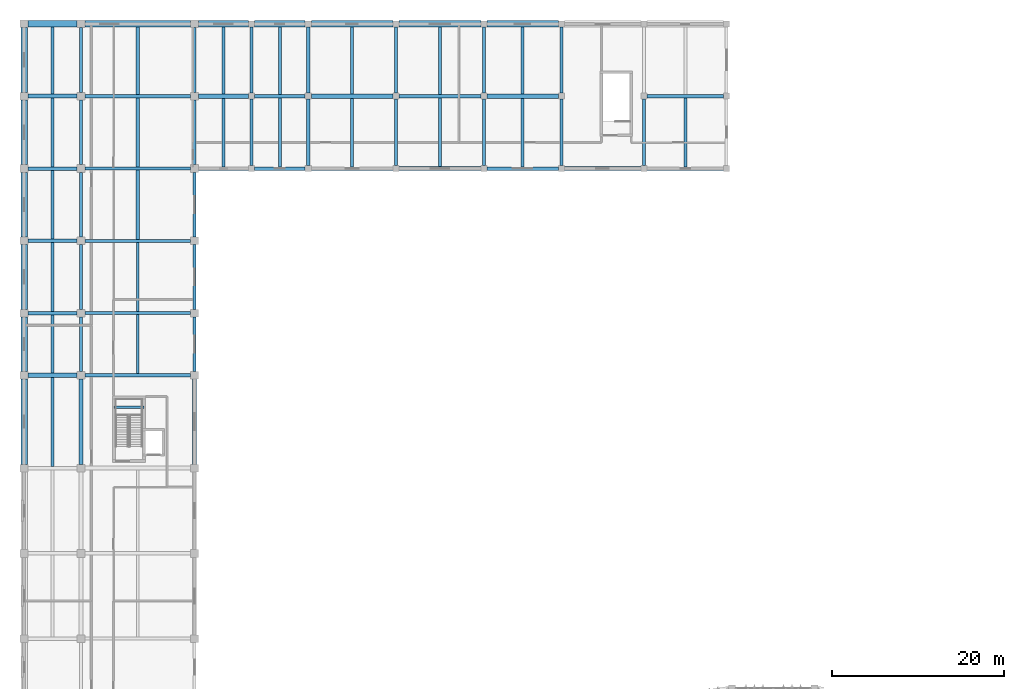
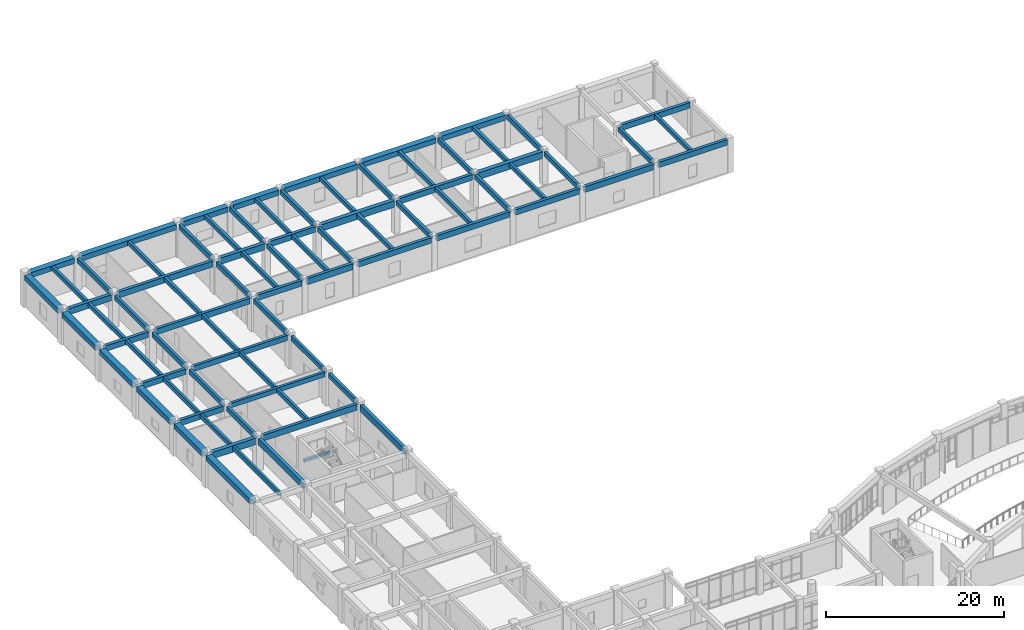
# One storey, part 22 of 68: 82 beams.
"""IFC4 building model written with IfcOpenShell, lengths in metres."""

from ifc_helpers import new_model, si_unit, direction, frame, origin, origin_2d, place, context, subcontext, project, spatial, rectangle, extrude, material, material_profile, profile_set, type_object, element, save


model = new_model("IFC4")

# Units and contexts
model_context = context("Model", 3, precision=1e-05, world=origin(), true_north=direction((0.0, 1.0)))
body_context = subcontext(model_context, "Body", "Model", "MODEL_VIEW")
ifc_project = project(units=[si_unit("LENGTHUNIT", "METRE"), si_unit("AREAUNIT", "SQUARE_METRE"), si_unit("VOLUMEUNIT", "CUBIC_METRE"), si_unit("PLANEANGLEUNIT", "RADIAN"), si_unit("MASSUNIT", "GRAM", prefix="KILO")], contexts=[model_context])

# Site, building, storey
site_placement = place(None, origin())
site = spatial("IfcSite", under=ifc_project, at=site_placement, CompositionType="ELEMENT")
building_placement = place(site_placement, origin())
building = spatial("IfcBuilding", under=site, at=building_placement, Name="Miralva Faculty of Natural Sciences", CompositionType="ELEMENT")
storey_placement = place(building_placement, frame((0.0, 0.0, 5.39990234375)))
storey = spatial("IfcBuildingStorey", under=building, at=storey_placement, Name="L01", CompositionType="ELEMENT", Elevation=5.39990234375)

# Beams
ifc_material = material(Name="Concrete C40/50", Category="concrete")
ifc_material_profile_1 = material_profile(ifc_material, rectangle(XDim=0.449951171875, YDim=0.85009765625, at=origin_2d()), Name="RC 450x850")
ifc_profile_set_1 = profile_set([ifc_material_profile_1], Name="Concrete C40/50")
beam_type_1 = type_object("IfcBeamType", Name="BM-B01", PredefinedType="BEAM", material=ifc_profile_set_1)
for number, where, z_axis, x_axis, name in (
    (1, (9.60009765625, 65.85009765625, 4.05517578125), (0.0, 1.0, 0.0), (-1.0, 0.0, 0.0), "Girder NS L01-116"),
    (2, (22.800048828125, 65.85009765625, 4.05517578125), (0.0, 1.0, 0.0), (-1.0, 0.0, 0.0), "Girder NS L01-132"),
):
    element("IfcBeam", number, at=place(storey_placement, frame(where, z_axis=z_axis, x_axis=x_axis)), inside=storey, type_object=beam_type_1, Name=name, PredefinedType="BEAM", context=body_context, shape_type="SweptSolid", body=[
        extrude(rectangle(XDim=0.449951171875, YDim=0.85009765625, at=origin_2d()), origin(), (0.0, 0.0, 1.0), 9.89990234375),
    ])
ifc_material_profile_2 = material_profile(ifc_material, rectangle(XDim=0.39990234375, YDim=0.800048828125, at=origin_2d()), Name="RC 400x800")
ifc_profile_set_2 = profile_set([ifc_material_profile_2], Name="Concrete C40/50")
beam_type_2 = type_object("IfcBeamType", Name="BM-B02", PredefinedType="BEAM", material=ifc_profile_set_2)
for number, where, z_axis, x_axis, name in (
    (3, (10.050048828125, 76.199951171875, 4.080078125), (1.0, 0.0, 0.0), (0.0, 1.0, 0.0), "Girder EW L01-62"),
    (4, (10.050048828125, 108.60009765625, 4.080078125), (1.0, 0.0, 0.0), (0.0, 1.0, 0.0), "Girder EW L01-80"),
):
    element("IfcBeam", number, at=place(storey_placement, frame(where, z_axis=z_axis, x_axis=x_axis)), inside=storey, type_object=beam_type_2, Name=name, PredefinedType="BEAM", context=body_context, shape_type="SweptSolid", body=[
        extrude(rectangle(XDim=0.39990234375, YDim=0.800048828125, at=origin_2d()), origin(), (0.0, 0.0, 1.0), 12.300048828125),
    ])
ifc_material_profile_3 = material_profile(ifc_material, rectangle(XDim=0.39990234375, YDim=0.75, at=origin_2d()), Name="RC 400x750")
ifc_profile_set_3 = profile_set([ifc_material_profile_3], Name="Concrete C40/50")
beam_type_3 = type_object("IfcBeamType", Name="BM-B03", PredefinedType="BEAM", material=ifc_profile_set_3)
for number, where, z_axis, x_axis, name in (
    (5, (3.449951171875, 83.39990234375, 4.10498046875), (1.0, 0.0, 0.0), (0.0, 1.0, 0.0), "Girder EW L01-66"),
    (6, (3.449951171875, 91.800048828125, 4.10498046875), (1.0, 0.0, 0.0), (0.0, 1.0, 0.0), "Girder EW L01-68"),
    (7, (3.449951171875, 100.199951171875, 4.10498046875), (1.0, 0.0, 0.0), (0.0, 1.0, 0.0), "Girder EW L01-70"),
):
    element("IfcBeam", number, at=place(storey_placement, frame(where, z_axis=z_axis, x_axis=x_axis)), inside=storey, type_object=beam_type_3, Name=name, PredefinedType="BEAM", context=body_context, shape_type="SweptSolid", body=[
        extrude(rectangle(XDim=0.39990234375, YDim=0.75, at=origin_2d()), origin(), (0.0, 0.0, 1.0), 5.699951171875),
    ])
beam_1_placement = place(storey_placement, frame((23.25, 100.199951171875, 4.175048828125), z_axis=(1.0, 0.0, 0.0), x_axis=(0.0, 1.0, 0.0)))
element("IfcBeam", 8, at=beam_1_placement, inside=storey, type_object=beam_type_3, Name="Girder EW L01-72", PredefinedType="BEAM", context=body_context, shape_type="SweptSolid", body=[
    extrude(rectangle(XDim=0.39990234375, YDim=0.75, at=origin_2d()), origin(), (0.0, 0.0, 1.0), 5.800048828125),
])
beam_2_placement = place(storey_placement, frame((36.35009765625, 100.199951171875, 4.175048828125), z_axis=(1.0, 0.0, 0.0), x_axis=(0.0, 1.0, 0.0)))
element("IfcBeam", 9, at=beam_2_placement, inside=storey, type_object=beam_type_3, Name="Girder EW L01-74", PredefinedType="BEAM", context=body_context, shape_type="SweptSolid", body=[
    extrude(rectangle(XDim=0.39990234375, YDim=0.75, at=origin_2d()), origin(), (0.0, 0.0, 1.0), 9.5),
])
beam_3_placement = place(storey_placement, frame((56.75, 100.199951171875, 4.175048828125), z_axis=(1.0, 0.0, 0.0), x_axis=(0.0, 1.0, 0.0)))
element("IfcBeam", 10, at=beam_3_placement, inside=storey, type_object=beam_type_3, Name="Girder EW L01-76", PredefinedType="BEAM", context=body_context, shape_type="SweptSolid", body=[
    extrude(rectangle(XDim=0.39990234375, YDim=0.75, at=origin_2d()), origin(), (0.0, 0.0, 1.0), 8.300048828125),
])
beam_4_placement = place(storey_placement, frame((75.35009765625, 100.199951171875, 4.175048828125), z_axis=(1.0, 0.0, 0.0), x_axis=(0.0, 1.0, 0.0)))
element("IfcBeam", 11, at=beam_4_placement, inside=storey, type_object=beam_type_3, Name="Girder EW L01-78", PredefinedType="BEAM", context=body_context, shape_type="SweptSolid", body=[
    extrude(rectangle(XDim=0.39990234375, YDim=0.75, at=origin_2d()), origin(), (0.0, 0.0, 1.0), 8.89990234375),
])
beam_5_placement = place(storey_placement, frame((29.75, 108.60009765625, 4.175048828125), z_axis=(1.0, 0.0, 0.0), x_axis=(0.0, 1.0, 0.0)))
element("IfcBeam", 12, at=beam_5_placement, inside=storey, type_object=beam_type_3, Name="Girder EW L01-82", PredefinedType="BEAM", context=body_context, shape_type="SweptSolid", body=[
    extrude(rectangle(XDim=0.39990234375, YDim=0.75, at=origin_2d()), origin(), (0.0, 0.0, 1.0), 5.89990234375),
])
beam_6_placement = place(storey_placement, frame((46.550048828125, 108.60009765625, 4.175048828125), z_axis=(1.0, 0.0, 0.0), x_axis=(0.0, 1.0, 0.0)))
element("IfcBeam", 13, at=beam_6_placement, inside=storey, type_object=beam_type_3, Name="Girder EW L01-84", PredefinedType="BEAM", context=body_context, shape_type="SweptSolid", body=[
    extrude(rectangle(XDim=0.39990234375, YDim=0.75, at=origin_2d()), origin(), (0.0, 0.0, 1.0), 9.5),
])
beam_7_placement = place(storey_placement, frame((75.35009765625, 108.60009765625, 4.175048828125), z_axis=(1.0, 0.0, 0.0), x_axis=(0.0, 1.0, 0.0)))
element("IfcBeam", 14, at=beam_7_placement, inside=storey, type_object=beam_type_3, Name="Girder EW L01-86", PredefinedType="BEAM", context=body_context, shape_type="SweptSolid", body=[
    extrude(rectangle(XDim=0.39990234375, YDim=0.75, at=origin_2d()), origin(), (0.0, 0.0, 1.0), 8.89990234375),
])
ifc_material_profile_4 = material_profile(ifc_material, rectangle(XDim=0.35009765625, YDim=0.64990234375, at=origin_2d()), Name="RC 350x650")
ifc_profile_set_4 = profile_set([ifc_material_profile_4], Name="Concrete C40/50")
beam_type_4 = type_object("IfcBeamType", Name="BM-B05", PredefinedType="BEAM", material=ifc_profile_set_4)
beam_8_placement = place(storey_placement, frame((9.60009765625, 76.64990234375, 4.155029296875), z_axis=(0.0, 1.0, 0.0), x_axis=(-1.0, 0.0, 0.0)))
element("IfcBeam", 15, at=beam_8_placement, inside=storey, type_object=beam_type_4, Name="Girder NS L01-117", PredefinedType="BEAM", context=body_context, shape_type="SweptSolid", body=[
    extrude(rectangle(XDim=0.35009765625, YDim=0.64990234375, at=origin_2d()), origin(), (0.0, 0.0, 1.0), 6.300048828125),
])
for number, where, z_axis, x_axis, name in (
    (16, (9.60009765625, 83.85009765625, 4.155029296875), (0.0, 1.0, 0.0), (-1.0, 0.0, 0.0), "Girder NS L01-118"),
    (17, (9.60009765625, 92.25, 4.155029296875), (0.0, 1.0, 0.0), (-1.0, 0.0, 0.0), "Girder NS L01-119"),
    (18, (9.60009765625, 100.64990234375, 4.155029296875), (0.0, 1.0, 0.0), (-1.0, 0.0, 0.0), "Girder NS L01-120"),
    (19, (9.60009765625, 109.050048828125, 4.155029296875), (0.0, 1.0, 0.0), (-1.0, 0.0, 0.0), "Girder NS L01-121"),
):
    element("IfcBeam", number, at=place(storey_placement, frame(where, z_axis=z_axis, x_axis=x_axis)), inside=storey, type_object=beam_type_4, Name=name, PredefinedType="BEAM", context=body_context, shape_type="SweptSolid", body=[
        extrude(rectangle(XDim=0.35009765625, YDim=0.64990234375, at=origin_2d()), origin(), (0.0, 0.0, 1.0), 7.5),
    ])
beam_9_placement = place(storey_placement, frame((22.800048828125, 76.64990234375, 4.155029296875), z_axis=(0.0, 1.0, 0.0), x_axis=(-1.0, 0.0, 0.0)))
element("IfcBeam", 20, at=beam_9_placement, inside=storey, type_object=beam_type_4, Name="Girder NS L01-133", PredefinedType="BEAM", context=body_context, shape_type="SweptSolid", body=[
    extrude(rectangle(XDim=0.35009765625, YDim=0.64990234375, at=origin_2d()), origin(), (0.0, 0.0, 1.0), 6.300048828125),
])
for number, where, z_axis, x_axis, name in (
    (21, (22.800048828125, 83.85009765625, 4.155029296875), (0.0, 1.0, 0.0), (-1.0, 0.0, 0.0), "Girder NS L01-134"),
    (22, (22.800048828125, 92.25, 4.155029296875), (0.0, 1.0, 0.0), (-1.0, 0.0, 0.0), "Girder NS L01-135"),
    (23, (22.800048828125, 100.64990234375, 4.155029296875), (0.0, 1.0, 0.0), (-1.0, 0.0, 0.0), "Girder NS L01-136"),
    (24, (22.800048828125, 109.050048828125, 4.155029296875), (0.0, 1.0, 0.0), (-1.0, 0.0, 0.0), "Girder NS L01-137"),
):
    element("IfcBeam", number, at=place(storey_placement, frame(where, z_axis=z_axis, x_axis=x_axis)), inside=storey, type_object=beam_type_4, Name=name, PredefinedType="BEAM", context=body_context, shape_type="SweptSolid", body=[
        extrude(rectangle(XDim=0.35009765625, YDim=0.64990234375, at=origin_2d()), origin(), (0.0, 0.0, 1.0), 7.5),
    ])
for number, where, z_axis, x_axis, name in (
    (25, (29.39990234375, 100.550048828125, 4.22509765625), (0.0, 1.0, 0.0), (-1.0, 0.0, 0.0), "Girder NS L01-141"),
    (26, (29.39990234375, 108.949951171875, 4.22509765625), (0.0, 1.0, 0.0), (-1.0, 0.0, 0.0), "Girder NS L01-142"),
    (27, (36.0, 100.550048828125, 4.22509765625), (0.0, 1.0, 0.0), (-1.0, 0.0, 0.0), "Girder NS L01-146"),
    (28, (36.0, 108.949951171875, 4.22509765625), (0.0, 1.0, 0.0), (-1.0, 0.0, 0.0), "Girder NS L01-147"),
    (29, (46.199951171875, 100.550048828125, 4.22509765625), (0.0, 1.0, 0.0), (-1.0, 0.0, 0.0), "Girder NS L01-149"),
    (30, (46.199951171875, 108.949951171875, 4.22509765625), (0.0, 1.0, 0.0), (-1.0, 0.0, 0.0), "Girder NS L01-150"),
    (31, (56.39990234375, 100.550048828125, 4.22509765625), (0.0, 1.0, 0.0), (-1.0, 0.0, 0.0), "Girder NS L01-152"),
    (32, (56.39990234375, 108.949951171875, 4.22509765625), (0.0, 1.0, 0.0), (-1.0, 0.0, 0.0), "Girder NS L01-153"),
    (33, (65.39990234375, 100.550048828125, 4.22509765625), (0.0, 1.0, 0.0), (-1.0, 0.0, 0.0), "Girder NS L01-154"),
    (34, (65.39990234375, 108.949951171875, 4.22509765625), (0.0, 1.0, 0.0), (-1.0, 0.0, 0.0), "Girder NS L01-155"),
    (35, (75.0, 100.550048828125, 4.22509765625), (0.0, 1.0, 0.0), (-1.0, 0.0, 0.0), "Girder NS L01-156"),
):
    element("IfcBeam", number, at=place(storey_placement, frame(where, z_axis=z_axis, x_axis=x_axis)), inside=storey, type_object=beam_type_4, Name=name, PredefinedType="BEAM", context=body_context, shape_type="SweptSolid", body=[
        extrude(rectangle(XDim=0.35009765625, YDim=0.64990234375, at=origin_2d()), origin(), (0.0, 0.0, 1.0), 7.699951171875),
    ])
ifc_material_profile_5 = material_profile(ifc_material, rectangle(XDim=0.340087890625, YDim=0.6201171875, at=origin_2d()), Name="RC 340x620")
ifc_profile_set_5 = profile_set([ifc_material_profile_5], Name="Concrete C40/50")
beam_type_5 = type_object("IfcBeamType", Name="BM-BG03", PredefinedType="BEAM", material=ifc_profile_set_5)
beam_10_placement = place(storey_placement, frame((10.050048828125, 83.39990234375, 4.170166015625), z_axis=(1.0, 0.0, 0.0), x_axis=(0.0, 1.0, 0.0)))
element("IfcBeam", 36, at=beam_10_placement, inside=storey, type_object=beam_type_5, Name="Girder EW L01-67", PredefinedType="BEAM", context=body_context, shape_type="SweptSolid", body=[
    extrude(rectangle(XDim=0.340087890625, YDim=0.6201171875, at=origin_2d()), origin(), (0.0, 0.0, 1.0), 12.300048828125),
])
ifc_material_profile_6 = material_profile(ifc_material, rectangle(XDim=0.360107421875, YDim=0.719970703125, at=origin_2d()), Name="RC 360x720")
ifc_profile_set_6 = profile_set([ifc_material_profile_6], Name="Concrete C40/50")
beam_type_6 = type_object("IfcBeamType", Name="BM-BG05", PredefinedType="BEAM", material=ifc_profile_set_6)
beam_11_placement = place(storey_placement, frame((10.050048828125, 91.800048828125, 4.1201171875), z_axis=(1.0, 0.0, 0.0), x_axis=(0.0, 1.0, 0.0)))
element("IfcBeam", 37, at=beam_11_placement, inside=storey, type_object=beam_type_6, Name="Girder EW L01-69", PredefinedType="BEAM", context=body_context, shape_type="SweptSolid", body=[
    extrude(rectangle(XDim=0.360107421875, YDim=0.719970703125, at=origin_2d()), origin(), (0.0, 0.0, 1.0), 12.300048828125),
])
ifc_material_profile_7 = material_profile(ifc_material, rectangle(XDim=0.3798828125, YDim=0.780029296875, at=origin_2d()), Name="RC 380x780")
ifc_profile_set_7 = profile_set([ifc_material_profile_7], Name="Concrete C40/50")
beam_type_7 = type_object("IfcBeamType", Name="BM-BG07", PredefinedType="BEAM", material=ifc_profile_set_7)
beam_12_placement = place(storey_placement, frame((10.050048828125, 100.199951171875, 4.090087890625), z_axis=(1.0, 0.0, 0.0), x_axis=(0.0, 1.0, 0.0)))
element("IfcBeam", 38, at=beam_12_placement, inside=storey, type_object=beam_type_7, Name="Girder EW L01-71", PredefinedType="BEAM", context=body_context, shape_type="SweptSolid", body=[
    extrude(rectangle(XDim=0.3798828125, YDim=0.780029296875, at=origin_2d()), origin(), (0.0, 0.0, 1.0), 12.300048828125),
])
ifc_material_profile_8 = material_profile(ifc_material, rectangle(XDim=0.39990234375, YDim=0.840087890625, at=origin_2d()), Name="RC 400x840")
ifc_profile_set_8 = profile_set([ifc_material_profile_8], Name="Concrete C40/50")
beam_type_8 = type_object("IfcBeamType", Name="BM-BG09", PredefinedType="BEAM", material=ifc_profile_set_8)
beam_13_placement = place(storey_placement, frame((29.75, 100.199951171875, 4.130126953125), z_axis=(1.0, 0.0, 0.0), x_axis=(0.0, 1.0, 0.0)))
element("IfcBeam", 39, at=beam_13_placement, inside=storey, type_object=beam_type_8, Name="Girder EW L01-73", PredefinedType="BEAM", context=body_context, shape_type="SweptSolid", body=[
    extrude(rectangle(XDim=0.39990234375, YDim=0.840087890625, at=origin_2d()), origin(), (0.0, 0.0, 1.0), 5.89990234375),
])
ifc_material_profile_9 = material_profile(ifc_material, rectangle(XDim=0.419921875, YDim=0.739990234375, at=origin_2d()), Name="RC 420x740")
ifc_profile_set_9 = profile_set([ifc_material_profile_9], Name="Concrete C40/50")
beam_type_9 = type_object("IfcBeamType", Name="BM-BG11", PredefinedType="BEAM", material=ifc_profile_set_9)
beam_14_placement = place(storey_placement, frame((46.550048828125, 100.199951171875, 4.18017578125), z_axis=(1.0, 0.0, 0.0), x_axis=(0.0, 1.0, 0.0)))
element("IfcBeam", 40, at=beam_14_placement, inside=storey, type_object=beam_type_9, Name="Girder EW L01-75", PredefinedType="BEAM", context=body_context, shape_type="SweptSolid", body=[
    extrude(rectangle(XDim=0.419921875, YDim=0.739990234375, at=origin_2d()), origin(), (0.0, 0.0, 1.0), 9.5),
])
ifc_material_profile_10 = material_profile(ifc_material, rectangle(XDim=0.43994140625, YDim=0.780029296875, at=origin_2d()), Name="RC 440x780")
ifc_profile_set_10 = profile_set([ifc_material_profile_10], Name="Concrete C40/50")
beam_type_10 = type_object("IfcBeamType", Name="BM-BG13", PredefinedType="BEAM", material=ifc_profile_set_10)
beam_15_placement = place(storey_placement, frame((65.75, 100.199951171875, 4.16015625), z_axis=(1.0, 0.0, 0.0), x_axis=(0.0, 1.0, 0.0)))
element("IfcBeam", 41, at=beam_15_placement, inside=storey, type_object=beam_type_10, Name="Girder EW L01-77", PredefinedType="BEAM", context=body_context, shape_type="SweptSolid", body=[
    extrude(rectangle(XDim=0.43994140625, YDim=0.780029296875, at=origin_2d()), origin(), (0.0, 0.0, 1.0), 8.89990234375),
])
ifc_material_profile_11 = material_profile(ifc_material, rectangle(XDim=0.4599609375, YDim=0.820068359375, at=origin_2d()), Name="RC 460x820")
ifc_profile_set_11 = profile_set([ifc_material_profile_11], Name="Concrete C40/50")
beam_type_11 = type_object("IfcBeamType", Name="BM-BG15", PredefinedType="BEAM", material=ifc_profile_set_11)
beam_16_placement = place(storey_placement, frame((3.449951171875, 108.60009765625, 4.070068359375), z_axis=(1.0, 0.0, 0.0), x_axis=(0.0, 1.0, 0.0)))
element("IfcBeam", 42, at=beam_16_placement, inside=storey, type_object=beam_type_11, Name="Girder EW L01-79", PredefinedType="BEAM", context=body_context, shape_type="SweptSolid", body=[
    extrude(rectangle(XDim=0.4599609375, YDim=0.820068359375, at=origin_2d()), origin(), (0.0, 0.0, 1.0), 5.699951171875),
])
ifc_material_profile_12 = material_profile(ifc_material, rectangle(XDim=0.47998046875, YDim=0.860107421875, at=origin_2d()), Name="RC 480x860")
ifc_profile_set_12 = profile_set([ifc_material_profile_12], Name="Concrete C40/50")
beam_type_12 = type_object("IfcBeamType", Name="BM-BG17", PredefinedType="BEAM", material=ifc_profile_set_12)
beam_17_placement = place(storey_placement, frame((23.25, 108.60009765625, 4.1201171875), z_axis=(1.0, 0.0, 0.0), x_axis=(0.0, 1.0, 0.0)))
element("IfcBeam", 43, at=beam_17_placement, inside=storey, type_object=beam_type_12, Name="Girder EW L01-81", PredefinedType="BEAM", context=body_context, shape_type="SweptSolid", body=[
    extrude(rectangle(XDim=0.47998046875, YDim=0.860107421875, at=origin_2d()), origin(), (0.0, 0.0, 1.0), 5.800048828125),
])
ifc_material_profile_13 = material_profile(ifc_material, rectangle(XDim=0.52001953125, YDim=0.8798828125, at=origin_2d()), Name="RC 520x880")
ifc_profile_set_13 = profile_set([ifc_material_profile_13], Name="Concrete C40/50")
beam_type_13 = type_object("IfcBeamType", Name="BM-BG19", PredefinedType="BEAM", material=ifc_profile_set_13)
beam_18_placement = place(storey_placement, frame((3.449951171875, 76.199951171875, 4.0400390625), z_axis=(1.0, 0.0, 0.0), x_axis=(0.0, 1.0, 0.0)))
element("IfcBeam", 44, at=beam_18_placement, inside=storey, type_object=beam_type_13, Name="Girder EW L01-61", PredefinedType="BEAM", context=body_context, shape_type="SweptSolid", body=[
    extrude(rectangle(XDim=0.52001953125, YDim=0.8798828125, at=origin_2d()), origin(), (0.0, 0.0, 1.0), 5.699951171875),
])
beam_19_placement = place(storey_placement, frame((36.35009765625, 108.60009765625, 4.110107421875), z_axis=(1.0, 0.0, 0.0), x_axis=(0.0, 1.0, 0.0)))
element("IfcBeam", 45, at=beam_19_placement, inside=storey, type_object=beam_type_13, Name="Girder EW L01-83", PredefinedType="BEAM", context=body_context, shape_type="SweptSolid", body=[
    extrude(rectangle(XDim=0.52001953125, YDim=0.8798828125, at=origin_2d()), origin(), (0.0, 0.0, 1.0), 9.5),
])
ifc_material_profile_14 = material_profile(ifc_material, rectangle(XDim=0.5400390625, YDim=0.919921875, at=origin_2d()), Name="RC 540x920")
ifc_profile_set_14 = profile_set([ifc_material_profile_14], Name="Concrete C40/50")
beam_type_14 = type_object("IfcBeamType", Name="BM-BG21", PredefinedType="BEAM", material=ifc_profile_set_14)
beam_20_placement = place(storey_placement, frame((56.75, 108.60009765625, 4.090087890625), z_axis=(1.0, 0.0, 0.0), x_axis=(0.0, 1.0, 0.0)))
element("IfcBeam", 46, at=beam_20_placement, inside=storey, type_object=beam_type_14, Name="Girder EW L01-85", PredefinedType="BEAM", context=body_context, shape_type="SweptSolid", body=[
    extrude(rectangle(XDim=0.5400390625, YDim=0.919921875, at=origin_2d()), origin(), (0.0, 0.0, 1.0), 8.300048828125),
])
ifc_material_profile_15 = material_profile(ifc_material, rectangle(XDim=0.300048828125, YDim=0.60009765625, at=origin_2d()), Name="RC 300x600")
ifc_profile_set_15 = profile_set([ifc_material_profile_15], Name="Concrete C40/50")
beam_type_15 = type_object("IfcBeamType", Name="BM-J01", PredefinedType="JOIST", material=ifc_profile_set_15)
beam_21_placement = place(storey_placement, frame((6.300048828125, 65.60009765625, 4.18017578125), z_axis=(0.0, 1.0, 0.0), x_axis=(-1.0, 0.0, 0.0)))
element("IfcBeam", 47, at=beam_21_placement, inside=storey, type_object=beam_type_15, Name="Floor joist L01-22", PredefinedType="JOIST", context=body_context, shape_type="SweptSolid", body=[
    extrude(rectangle(XDim=0.300048828125, YDim=0.60009765625, at=origin_2d()), origin(), (0.0, 0.0, 1.0), 10.33984375),
])
beam_22_placement = place(storey_placement, frame((6.300048828125, 76.4599609375, 4.18017578125), z_axis=(0.0, 1.0, 0.0), x_axis=(-1.0, 0.0, 0.0)))
element("IfcBeam", 48, at=beam_22_placement, inside=storey, type_object=beam_type_15, Name="Floor joist L01-26", PredefinedType="JOIST", context=body_context, shape_type="SweptSolid", body=[
    extrude(rectangle(XDim=0.300048828125, YDim=0.60009765625, at=origin_2d()), origin(), (0.0, 0.0, 1.0), 6.739990234375),
])
beam_23_placement = place(storey_placement, frame((16.199951171875, 76.39990234375, 4.18017578125), z_axis=(0.0, 1.0, 0.0), x_axis=(-1.0, 0.0, 0.0)))
element("IfcBeam", 49, at=beam_23_placement, inside=storey, type_object=beam_type_15, Name="Floor joist L01-27", PredefinedType="JOIST", context=body_context, shape_type="SweptSolid", body=[
    extrude(rectangle(XDim=0.300048828125, YDim=0.60009765625, at=origin_2d()), origin(), (0.0, 0.0, 1.0), 6.830078125),
])
beam_24_placement = place(storey_placement, frame((6.300048828125, 83.60009765625, 4.18017578125), z_axis=(0.0, 1.0, 0.0), x_axis=(-1.0, 0.0, 0.0)))
element("IfcBeam", 50, at=beam_24_placement, inside=storey, type_object=beam_type_15, Name="Floor joist L01-28", PredefinedType="JOIST", context=body_context, shape_type="SweptSolid", body=[
    extrude(rectangle(XDim=0.300048828125, YDim=0.60009765625, at=origin_2d()), origin(), (0.0, 0.0, 1.0), 8.0),
])
beam_25_placement = place(storey_placement, frame((16.199951171875, 83.570068359375, 4.18017578125), z_axis=(0.0, 1.0, 0.0), x_axis=(-1.0, 0.0, 0.0)))
element("IfcBeam", 51, at=beam_25_placement, inside=storey, type_object=beam_type_15, Name="Floor joist L01-29", PredefinedType="JOIST", context=body_context, shape_type="SweptSolid", body=[
    extrude(rectangle(XDim=0.300048828125, YDim=0.60009765625, at=origin_2d()), origin(), (0.0, 0.0, 1.0), 8.050048828125),
])
ifc_material_profile_16 = material_profile(ifc_material, rectangle(XDim=0.35009765625, YDim=0.550048828125, at=origin_2d()), Name="RC 350x550")
ifc_profile_set_16 = profile_set([ifc_material_profile_16], Name="Concrete C40/50")
beam_type_16 = type_object("IfcBeamType", Name="BM-J04", PredefinedType="JOIST", material=ifc_profile_set_16)
beam_26_placement = place(storey_placement, frame((6.300048828125, 92.0, 4.205078125), z_axis=(0.0, 1.0, 0.0), x_axis=(-1.0, 0.0, 0.0)))
element("IfcBeam", 52, at=beam_26_placement, inside=storey, type_object=beam_type_16, Name="Floor joist L01-30", PredefinedType="JOIST", context=body_context, shape_type="SweptSolid", body=[
    extrude(rectangle(XDim=0.35009765625, YDim=0.550048828125, at=origin_2d()), origin(), (0.0, 0.0, 1.0), 8.0),
])
beam_27_placement = place(storey_placement, frame((16.199951171875, 91.97998046875, 4.205078125), z_axis=(0.0, 1.0, 0.0), x_axis=(-1.0, 0.0, 0.0)))
element("IfcBeam", 53, at=beam_27_placement, inside=storey, type_object=beam_type_16, Name="Floor joist L01-31", PredefinedType="JOIST", context=body_context, shape_type="SweptSolid", body=[
    extrude(rectangle(XDim=0.35009765625, YDim=0.550048828125, at=origin_2d()), origin(), (0.0, 0.0, 1.0), 8.030029296875),
])
beam_28_placement = place(storey_placement, frame((6.300048828125, 100.39990234375, 4.205078125), z_axis=(0.0, 1.0, 0.0), x_axis=(-1.0, 0.0, 0.0)))
element("IfcBeam", 54, at=beam_28_placement, inside=storey, type_object=beam_type_16, Name="Floor joist L01-32", PredefinedType="JOIST", context=body_context, shape_type="SweptSolid", body=[
    extrude(rectangle(XDim=0.35009765625, YDim=0.550048828125, at=origin_2d()), origin(), (0.0, 0.0, 1.0), 7.97021484375),
])
beam_29_placement = place(storey_placement, frame((16.199951171875, 100.389892578125, 4.205078125), z_axis=(0.0, 1.0, 0.0), x_axis=(-1.0, 0.0, 0.0)))
element("IfcBeam", 55, at=beam_29_placement, inside=storey, type_object=beam_type_16, Name="Floor joist L01-33", PredefinedType="JOIST", context=body_context, shape_type="SweptSolid", body=[
    extrude(rectangle(XDim=0.35009765625, YDim=0.550048828125, at=origin_2d()), origin(), (0.0, 0.0, 1.0), 8.010009765625),
])
beam_30_placement = place(storey_placement, frame((26.14990234375, 100.39990234375, 4.275146484375), z_axis=(0.0, 1.0, 0.0), x_axis=(-1.0, 0.0, 0.0)))
element("IfcBeam", 56, at=beam_30_placement, inside=storey, type_object=beam_type_16, Name="Floor joist L01-34", PredefinedType="JOIST", context=body_context, shape_type="SweptSolid", body=[
    extrude(rectangle(XDim=0.35009765625, YDim=0.550048828125, at=origin_2d()), origin(), (0.0, 0.0, 1.0), 7.960205078125),
])
beam_31_placement = place(storey_placement, frame((32.699951171875, 100.39990234375, 4.275146484375), z_axis=(0.0, 1.0, 0.0), x_axis=(-1.0, 0.0, 0.0)))
element("IfcBeam", 57, at=beam_31_placement, inside=storey, type_object=beam_type_16, Name="Floor joist L01-35", PredefinedType="JOIST", context=body_context, shape_type="SweptSolid", body=[
    extrude(rectangle(XDim=0.35009765625, YDim=0.550048828125, at=origin_2d()), origin(), (0.0, 0.0, 1.0), 8.0),
])
beam_32_placement = place(storey_placement, frame((41.10009765625, 100.39990234375, 4.275146484375), z_axis=(0.0, 1.0, 0.0), x_axis=(-1.0, 0.0, 0.0)))
element("IfcBeam", 58, at=beam_32_placement, inside=storey, type_object=beam_type_16, Name="Floor joist L01-36", PredefinedType="JOIST", context=body_context, shape_type="SweptSolid", body=[
    extrude(rectangle(XDim=0.35009765625, YDim=0.550048828125, at=origin_2d()), origin(), (0.0, 0.0, 1.0), 7.940185546875),
])
beam_33_placement = place(storey_placement, frame((51.300048828125, 100.409912109375, 4.275146484375), z_axis=(0.0, 1.0, 0.0), x_axis=(-1.0, 0.0, 0.0)))
element("IfcBeam", 59, at=beam_33_placement, inside=storey, type_object=beam_type_16, Name="Floor joist L01-37", PredefinedType="JOIST", context=body_context, shape_type="SweptSolid", body=[
    extrude(rectangle(XDim=0.35009765625, YDim=0.550048828125, at=origin_2d()), origin(), (0.0, 0.0, 1.0), 7.989990234375),
])
beam_34_placement = place(storey_placement, frame((60.89990234375, 100.39990234375, 4.275146484375), z_axis=(0.0, 1.0, 0.0), x_axis=(-1.0, 0.0, 0.0)))
element("IfcBeam", 60, at=beam_34_placement, inside=storey, type_object=beam_type_16, Name="Floor joist L01-38", PredefinedType="JOIST", context=body_context, shape_type="SweptSolid", body=[
    extrude(rectangle(XDim=0.35009765625, YDim=0.550048828125, at=origin_2d()), origin(), (0.0, 0.0, 1.0), 7.93017578125),
])
beam_35_placement = place(storey_placement, frame((79.800048828125, 100.39990234375, 4.275146484375), z_axis=(0.0, 1.0, 0.0), x_axis=(-1.0, 0.0, 0.0)))
element("IfcBeam", 61, at=beam_35_placement, inside=storey, type_object=beam_type_16, Name="Floor joist L01-39", PredefinedType="JOIST", context=body_context, shape_type="SweptSolid", body=[
    extrude(rectangle(XDim=0.35009765625, YDim=0.550048828125, at=origin_2d()), origin(), (0.0, 0.0, 1.0), 8.0),
])
beam_36_placement = place(storey_placement, frame((6.300048828125, 108.830078125, 4.205078125), z_axis=(0.0, 1.0, 0.0), x_axis=(-1.0, 0.0, 0.0)))
element("IfcBeam", 62, at=beam_36_placement, inside=storey, type_object=beam_type_16, Name="Floor joist L01-40", PredefinedType="JOIST", context=body_context, shape_type="SweptSolid", body=[
    extrude(rectangle(XDim=0.35009765625, YDim=0.550048828125, at=origin_2d()), origin(), (0.0, 0.0, 1.0), 7.794921875),
])
beam_37_placement = place(storey_placement, frame((16.199951171875, 108.800048828125, 4.205078125), z_axis=(0.0, 1.0, 0.0), x_axis=(-1.0, 0.0, 0.0)))
element("IfcBeam", 63, at=beam_37_placement, inside=storey, type_object=beam_type_16, Name="Floor joist L01-41", PredefinedType="JOIST", context=body_context, shape_type="SweptSolid", body=[
    extrude(rectangle(XDim=0.35009765625, YDim=0.550048828125, at=origin_2d()), origin(), (0.0, 0.0, 1.0), 7.824951171875),
])
beam_38_placement = place(storey_placement, frame((26.14990234375, 108.840087890625, 4.275146484375), z_axis=(0.0, 1.0, 0.0), x_axis=(-1.0, 0.0, 0.0)))
element("IfcBeam", 64, at=beam_38_placement, inside=storey, type_object=beam_type_16, Name="Floor joist L01-42", PredefinedType="JOIST", context=body_context, shape_type="SweptSolid", body=[
    extrude(rectangle(XDim=0.35009765625, YDim=0.550048828125, at=origin_2d()), origin(), (0.0, 0.0, 1.0), 7.784912109375),
])
beam_39_placement = place(storey_placement, frame((32.699951171875, 108.800048828125, 4.275146484375), z_axis=(0.0, 1.0, 0.0), x_axis=(-1.0, 0.0, 0.0)))
element("IfcBeam", 65, at=beam_39_placement, inside=storey, type_object=beam_type_16, Name="Floor joist L01-43", PredefinedType="JOIST", context=body_context, shape_type="SweptSolid", body=[
    extrude(rectangle(XDim=0.35009765625, YDim=0.550048828125, at=origin_2d()), origin(), (0.0, 0.0, 1.0), 7.824951171875),
])
beam_40_placement = place(storey_placement, frame((41.10009765625, 108.860107421875, 4.275146484375), z_axis=(0.0, 1.0, 0.0), x_axis=(-1.0, 0.0, 0.0)))
element("IfcBeam", 66, at=beam_40_placement, inside=storey, type_object=beam_type_16, Name="Floor joist L01-44", PredefinedType="JOIST", context=body_context, shape_type="SweptSolid", body=[
    extrude(rectangle(XDim=0.35009765625, YDim=0.550048828125, at=origin_2d()), origin(), (0.0, 0.0, 1.0), 7.764892578125),
])
beam_41_placement = place(storey_placement, frame((51.300048828125, 108.800048828125, 4.275146484375), z_axis=(0.0, 1.0, 0.0), x_axis=(-1.0, 0.0, 0.0)))
element("IfcBeam", 67, at=beam_41_placement, inside=storey, type_object=beam_type_16, Name="Floor joist L01-45", PredefinedType="JOIST", context=body_context, shape_type="SweptSolid", body=[
    extrude(rectangle(XDim=0.35009765625, YDim=0.550048828125, at=origin_2d()), origin(), (0.0, 0.0, 1.0), 7.824951171875),
])
beam_42_placement = place(storey_placement, frame((60.89990234375, 108.8701171875, 4.275146484375), z_axis=(0.0, 1.0, 0.0), x_axis=(-1.0, 0.0, 0.0)))
element("IfcBeam", 68, at=beam_42_placement, inside=storey, type_object=beam_type_16, Name="Floor joist L01-46", PredefinedType="JOIST", context=body_context, shape_type="SweptSolid", body=[
    extrude(rectangle(XDim=0.35009765625, YDim=0.550048828125, at=origin_2d()), origin(), (0.0, 0.0, 1.0), 7.7548828125),
])
ifc_material_profile_17 = material_profile(ifc_material, rectangle(XDim=0.300048828125, YDim=0.3798828125, at=origin_2d()), Name="RC 300x380")
ifc_profile_set_17 = profile_set([ifc_material_profile_17], Name="Concrete C40/50")
beam_type_17 = type_object("IfcBeamType", Name="BM-LND01", PredefinedType="BEAM", material=ifc_profile_set_17)
beam_43_placement = place(storey_placement, frame((13.425048828125, 72.4951171875, 2.02001953125), z_axis=(1.0, 0.0, 0.0), x_axis=(0.0, 1.0, 0.0)))
element("IfcBeam", 69, at=beam_43_placement, inside=storey, type_object=beam_type_17, Name="Stair Core C2 half-landing support beam L01", PredefinedType="BEAM", context=body_context, shape_type="SweptSolid", body=[
    extrude(rectangle(XDim=0.300048828125, YDim=0.3798828125, at=origin_2d()), origin(), (0.0, 0.0, 1.0), 3.5),
])
ifc_material_profile_18 = material_profile(ifc_material, rectangle(XDim=0.75, YDim=0.699951171875, at=origin_2d()), Name="RC 750x700")
ifc_profile_set_18 = profile_set([ifc_material_profile_18], Name="Concrete C40/50")
beam_type_18 = type_object("IfcBeamType", Name="BM-SP01", PredefinedType="SPANDREL", material=ifc_profile_set_18)
beam_44_placement = place(storey_placement, frame((3.449951171875, 117.0, 4.130126953125), z_axis=(1.0, 0.0, 0.0), x_axis=(0.0, 1.0, 0.0)))
element("IfcBeam", 70, at=beam_44_placement, inside=storey, type_object=beam_type_18, Name="Girder EW L01-87", PredefinedType="SPANDREL", context=body_context, shape_type="SweptSolid", body=[
    extrude(rectangle(XDim=0.75, YDim=0.699951171875, at=origin_2d()), origin(), (0.0, 0.0, 1.0), 5.699951171875),
])
beam_45_placement = place(storey_placement, frame((10.050048828125, 117.0, 4.130126953125), z_axis=(1.0, 0.0, 0.0), x_axis=(0.0, 1.0, 0.0)))
element("IfcBeam", 71, at=beam_45_placement, inside=storey, type_object=beam_type_18, Name="Girder EW L01-88", PredefinedType="SPANDREL", context=body_context, shape_type="SweptSolid", body=[
    extrude(rectangle(XDim=0.75, YDim=0.699951171875, at=origin_2d()), origin(), (0.0, 0.0, 1.0), 12.300048828125),
])
beam_46_placement = place(storey_placement, frame((23.25, 117.0, 4.2001953125), z_axis=(1.0, 0.0, 0.0), x_axis=(0.0, 1.0, 0.0)))
element("IfcBeam", 72, at=beam_46_placement, inside=storey, type_object=beam_type_18, Name="Girder EW L01-89", PredefinedType="SPANDREL", context=body_context, shape_type="SweptSolid", body=[
    extrude(rectangle(XDim=0.75, YDim=0.699951171875, at=origin_2d()), origin(), (0.0, 0.0, 1.0), 5.800048828125),
])
beam_47_placement = place(storey_placement, frame((29.75, 117.0, 4.2001953125), z_axis=(1.0, 0.0, 0.0), x_axis=(0.0, 1.0, 0.0)))
element("IfcBeam", 73, at=beam_47_placement, inside=storey, type_object=beam_type_18, Name="Girder EW L01-90", PredefinedType="SPANDREL", context=body_context, shape_type="SweptSolid", body=[
    extrude(rectangle(XDim=0.75, YDim=0.699951171875, at=origin_2d()), origin(), (0.0, 0.0, 1.0), 5.89990234375),
])
for number, where, z_axis, x_axis, name in (
    (74, (36.35009765625, 117.0, 4.2001953125), (1.0, 0.0, 0.0), (0.0, 1.0, 0.0), "Girder EW L01-91"),
    (75, (46.550048828125, 117.0, 4.2001953125), (1.0, 0.0, 0.0), (0.0, 1.0, 0.0), "Girder EW L01-92"),
):
    element("IfcBeam", number, at=place(storey_placement, frame(where, z_axis=z_axis, x_axis=x_axis)), inside=storey, type_object=beam_type_18, Name=name, PredefinedType="SPANDREL", context=body_context, shape_type="SweptSolid", body=[
        extrude(rectangle(XDim=0.75, YDim=0.699951171875, at=origin_2d()), origin(), (0.0, 0.0, 1.0), 9.5),
    ])
beam_48_placement = place(storey_placement, frame((56.75, 117.0, 4.2001953125), z_axis=(1.0, 0.0, 0.0), x_axis=(0.0, 1.0, 0.0)))
element("IfcBeam", 76, at=beam_48_placement, inside=storey, type_object=beam_type_18, Name="Girder EW L01-93", PredefinedType="SPANDREL", context=body_context, shape_type="SweptSolid", body=[
    extrude(rectangle(XDim=0.75, YDim=0.699951171875, at=origin_2d()), origin(), (0.0, 0.0, 1.0), 8.300048828125),
])
beam_49_placement = place(storey_placement, frame((3.0, 65.85009765625, 4.130126953125), z_axis=(0.0, 1.0, 0.0), x_axis=(-1.0, 0.0, 0.0)))
element("IfcBeam", 77, at=beam_49_placement, inside=storey, type_object=beam_type_18, Name="Girder NS L01-103", PredefinedType="SPANDREL", context=body_context, shape_type="SweptSolid", body=[
    extrude(rectangle(XDim=0.75, YDim=0.699951171875, at=origin_2d()), origin(), (0.0, 0.0, 1.0), 9.89990234375),
])
beam_50_placement = place(storey_placement, frame((3.0, 76.64990234375, 4.130126953125), z_axis=(0.0, 1.0, 0.0), x_axis=(-1.0, 0.0, 0.0)))
element("IfcBeam", 78, at=beam_50_placement, inside=storey, type_object=beam_type_18, Name="Girder NS L01-104", PredefinedType="SPANDREL", context=body_context, shape_type="SweptSolid", body=[
    extrude(rectangle(XDim=0.75, YDim=0.699951171875, at=origin_2d()), origin(), (0.0, 0.0, 1.0), 6.300048828125),
])
for number, where, z_axis, x_axis, name in (
    (79, (3.0, 83.85009765625, 4.130126953125), (0.0, 1.0, 0.0), (-1.0, 0.0, 0.0), "Girder NS L01-105"),
    (80, (3.0, 92.25, 4.130126953125), (0.0, 1.0, 0.0), (-1.0, 0.0, 0.0), "Girder NS L01-106"),
    (81, (3.0, 100.64990234375, 4.130126953125), (0.0, 1.0, 0.0), (-1.0, 0.0, 0.0), "Girder NS L01-107"),
    (82, (3.0, 109.050048828125, 4.130126953125), (0.0, 1.0, 0.0), (-1.0, 0.0, 0.0), "Girder NS L01-108"),
):
    element("IfcBeam", number, at=place(storey_placement, frame(where, z_axis=z_axis, x_axis=x_axis)), inside=storey, type_object=beam_type_18, Name=name, PredefinedType="SPANDREL", context=body_context, shape_type="SweptSolid", body=[
        extrude(rectangle(XDim=0.75, YDim=0.699951171875, at=origin_2d()), origin(), (0.0, 0.0, 1.0), 7.5),
    ])

save(model, "model.ifc")
